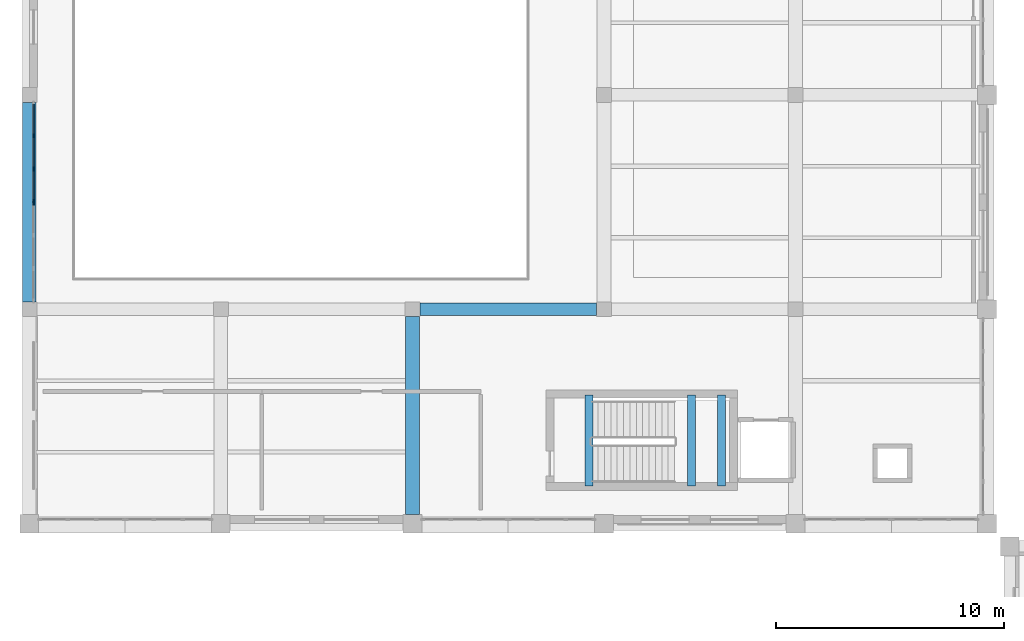
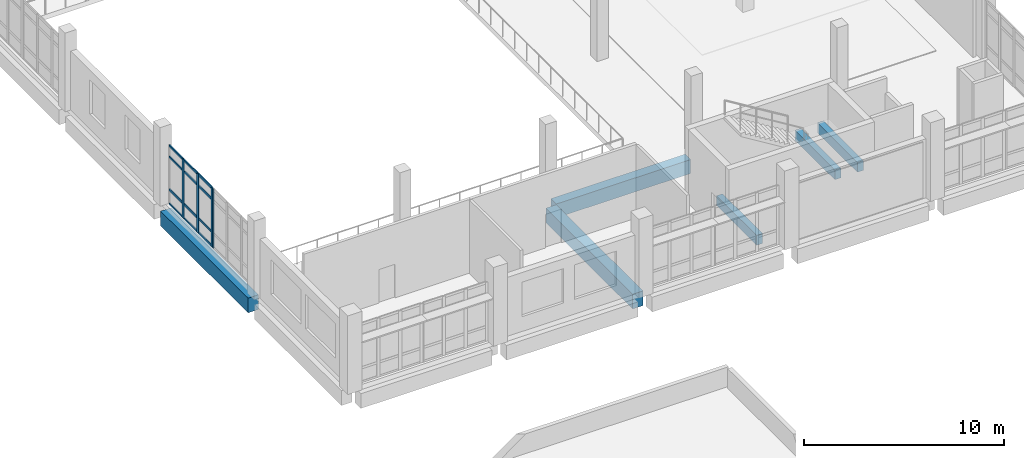
# One storey, part 16 of 73: 16 members, 6 beams, 2 elements without a shape of their own.
"""IFC4 building model written with IfcOpenShell, lengths in metres."""

from ifc_helpers import new_model, si_unit, direction, frame, origin, origin_2d, place, context, subcontext, project, spatial, rectangle, extrude, material, layer, layer_set, material_profile, profile_set, type_object, element, aggregate, save


model = new_model("IFC4")

# Units and contexts
model_context = context("Model", 3, precision=1e-05, world=origin(), true_north=direction((0.0, 1.0)))
body_context = subcontext(model_context, "Body", "Model", "MODEL_VIEW")
ifc_project = project(units=[si_unit("LENGTHUNIT", "METRE"), si_unit("AREAUNIT", "SQUARE_METRE"), si_unit("VOLUMEUNIT", "CUBIC_METRE"), si_unit("PLANEANGLEUNIT", "RADIAN"), si_unit("MASSUNIT", "GRAM", prefix="KILO")], contexts=[model_context])

# Site, building, storey
site_placement = place(None, origin())
site = spatial("IfcSite", under=ifc_project, at=site_placement, CompositionType="ELEMENT")
building_placement = place(site_placement, origin())
building = spatial("IfcBuilding", under=site, at=building_placement, Name="Kelarvand Opera House", CompositionType="ELEMENT")
storey_placement = place(building_placement, frame((0.0, 0.0, 10.199951171875)))
storey = spatial("IfcBuildingStorey", under=building, at=storey_placement, Name="L02", CompositionType="ELEMENT", Elevation=10.199951171875)

# Curtain wall, member
ifc_material_1 = material(Name="Thermally broken aluminium and low-E glazing", Category="aluminium")
ifc_layer = layer(ifc_material_1, 0.179931640625, Name="Thermally broken aluminium and low-E glazing", Category="aluminium")
ifc_layer_set = layer_set([ifc_layer], Name="Thermally broken aluminium and low-E glazing")
curtain_wall_type = type_object("IfcCurtainWallType", Name="Unitised Low-E Curtain Wall 4326x3600 Mod 1350 CWF-15", PredefinedType="USERDEFINED", material=ifc_layer_set)
curtain_wall_1_placement = place(storey_placement, origin())
curtain_wall_1 = element("IfcCurtainWall", 1, at=curtain_wall_1_placement, inside=storey, type_object=curtain_wall_type, Name="V3 L02 Curtain Wall CWF-15 (77)", ObjectType="UNITISED CURTAIN WALL", PredefinedType="USERDEFINED")
ifc_material_2 = material(Name="Thermally broken anodised aluminium", Category="aluminium")
ifc_material_profile_1 = material_profile(ifc_material_2, rectangle(XDim=0.06494140625, YDim=0.179931640625, at=origin_2d()), Name="ALU MULLION 65x180", Category="aluminium")
ifc_profile_set_1 = profile_set([ifc_material_profile_1], Name="Thermally broken anodised aluminium")
member_type_1 = type_object("IfcMemberType", Name="Curtain Wall Mullion 65x180 Aluminium", PredefinedType="MULLION", material=ifc_profile_set_1)
member_1_placement = place(storey_placement, frame((9.179931640625, 101.263427734375, 0.0), z_axis=(0.0, 0.0, 1.0), x_axis=(-1.0, 0.0, 0.0)))
member_1 = element("IfcMember", 2, at=member_1_placement, type_object=member_type_1, Name="CWF-15 mullion 4", PredefinedType="MULLION", context=body_context, shape_type="SweptSolid", body=[
    extrude(rectangle(XDim=0.06494140625, YDim=0.179931640625, at=origin_2d()), origin(), (0.0, 0.0, 1.0), 3.60009765625),
])
aggregate(curtain_wall_1, [member_1])

# Curtain wall, members
curtain_wall_2_placement = place(storey_placement, origin())
curtain_wall_2 = element("IfcCurtainWall", 3, at=curtain_wall_2_placement, inside=storey, type_object=curtain_wall_type, Name="V3 L02 Curtain Wall CWF-15 (78)", ObjectType="UNITISED CURTAIN WALL", PredefinedType="USERDEFINED")
member_2_placement = place(storey_placement, frame((9.179931640625, 101.33251953125, 0.0), z_axis=(0.0, 0.0, 1.0), x_axis=(-1.0, 0.0, 0.0)))
member_2 = element("IfcMember", 4, at=member_2_placement, type_object=member_type_1, Name="CWF-15 mullion 1", PredefinedType="MULLION", context=body_context, shape_type="SweptSolid", body=[
    extrude(rectangle(XDim=0.06494140625, YDim=0.179931640625, at=origin_2d()), origin(), (0.0, 0.0, 1.0), 3.60009765625),
])
member_3_placement = place(storey_placement, frame((9.179931640625, 102.7548828125, 0.0), z_axis=(0.0, 0.0, 1.0), x_axis=(-1.0, 0.0, 0.0)))
member_3 = element("IfcMember", 5, at=member_3_placement, type_object=member_type_1, Name="CWF-15 mullion 2", PredefinedType="MULLION", context=body_context, shape_type="SweptSolid", body=[
    extrude(rectangle(XDim=0.06494140625, YDim=0.179931640625, at=origin_2d()), origin(), (0.0, 0.0, 1.0), 3.60009765625),
])
member_4_placement = place(storey_placement, frame((9.179931640625, 104.2099609375, 0.0), z_axis=(0.0, 0.0, 1.0), x_axis=(-1.0, 0.0, 0.0)))
member_4 = element("IfcMember", 6, at=member_4_placement, type_object=member_type_1, Name="CWF-15 mullion 3", PredefinedType="MULLION", context=body_context, shape_type="SweptSolid", body=[
    extrude(rectangle(XDim=0.06494140625, YDim=0.179931640625, at=origin_2d()), origin(), (0.0, 0.0, 1.0), 3.60009765625),
])
ifc_material_profile_2 = material_profile(ifc_material_2, rectangle(XDim=0.06494140625, YDim=0.139892578125, at=origin_2d()), Name="ALU TRANSOM 65x140", Category="aluminium")
ifc_profile_set_2 = profile_set([ifc_material_profile_2], Name="Thermally broken anodised aluminium")
member_type_2 = type_object("IfcMemberType", Name="Curtain Wall Transom 65x140 Aluminium", PredefinedType="USERDEFINED", material=ifc_profile_set_2)
member_5_placement = place(storey_placement, frame((9.179931640625, 101.364990234375, 0.032470703125), z_axis=(0.0, 1.0, 0.0), x_axis=(-1.0, 0.0, 0.0)))
member_5 = element("IfcMember", 7, at=member_5_placement, type_object=member_type_2, Name="CWF-15 transom 1.1", ObjectType="TRANSOM", PredefinedType="USERDEFINED", context=body_context, shape_type="SweptSolid", body=[
    extrude(rectangle(XDim=0.06494140625, YDim=0.139892578125, at=origin_2d()), origin(), (0.0, 0.0, 1.0), 1.357421875),
])
member_6_placement = place(storey_placement, frame((9.179931640625, 101.364990234375, 0.900146484375), z_axis=(0.0, 1.0, 0.0), x_axis=(-1.0, 0.0, 0.0)))
member_6 = element("IfcMember", 8, at=member_6_placement, type_object=member_type_2, Name="CWF-15 transom 1.2", ObjectType="TRANSOM", PredefinedType="USERDEFINED", context=body_context, shape_type="SweptSolid", body=[
    extrude(rectangle(XDim=0.06494140625, YDim=0.139892578125, at=origin_2d()), origin(), (0.0, 0.0, 1.0), 1.357421875),
])
member_7_placement = place(storey_placement, frame((9.179931640625, 101.364990234375, 2.900146484375), z_axis=(0.0, 1.0, 0.0), x_axis=(-1.0, 0.0, 0.0)))
member_7 = element("IfcMember", 9, at=member_7_placement, type_object=member_type_2, Name="CWF-15 transom 1.3", ObjectType="TRANSOM", PredefinedType="USERDEFINED", context=body_context, shape_type="SweptSolid", body=[
    extrude(rectangle(XDim=0.06494140625, YDim=0.139892578125, at=origin_2d()), origin(), (0.0, 0.0, 1.0), 1.357421875),
])
member_8_placement = place(storey_placement, frame((9.179931640625, 101.364990234375, 3.567626953125), z_axis=(0.0, 1.0, 0.0), x_axis=(-1.0, 0.0, 0.0)))
member_8 = element("IfcMember", 10, at=member_8_placement, type_object=member_type_2, Name="CWF-15 transom 1.4", ObjectType="TRANSOM", PredefinedType="USERDEFINED", context=body_context, shape_type="SweptSolid", body=[
    extrude(rectangle(XDim=0.06494140625, YDim=0.139892578125, at=origin_2d()), origin(), (0.0, 0.0, 1.0), 1.357421875),
])
member_9_placement = place(storey_placement, frame((9.179931640625, 102.78759765625, 0.032470703125), z_axis=(0.0, 1.0, 0.0), x_axis=(-1.0, 0.0, 0.0)))
member_9 = element("IfcMember", 11, at=member_9_placement, type_object=member_type_2, Name="CWF-15 transom 2.1", ObjectType="TRANSOM", PredefinedType="USERDEFINED", context=body_context, shape_type="SweptSolid", body=[
    extrude(rectangle(XDim=0.06494140625, YDim=0.139892578125, at=origin_2d()), origin(), (0.0, 0.0, 1.0), 1.389892578125),
])
member_10_placement = place(storey_placement, frame((9.179931640625, 102.78759765625, 0.900146484375), z_axis=(0.0, 1.0, 0.0), x_axis=(-1.0, 0.0, 0.0)))
member_10 = element("IfcMember", 12, at=member_10_placement, type_object=member_type_2, Name="CWF-15 transom 2.2", ObjectType="TRANSOM", PredefinedType="USERDEFINED", context=body_context, shape_type="SweptSolid", body=[
    extrude(rectangle(XDim=0.06494140625, YDim=0.139892578125, at=origin_2d()), origin(), (0.0, 0.0, 1.0), 1.389892578125),
])
member_11_placement = place(storey_placement, frame((9.179931640625, 102.78759765625, 2.900146484375), z_axis=(0.0, 1.0, 0.0), x_axis=(-1.0, 0.0, 0.0)))
member_11 = element("IfcMember", 13, at=member_11_placement, type_object=member_type_2, Name="CWF-15 transom 2.3", ObjectType="TRANSOM", PredefinedType="USERDEFINED", context=body_context, shape_type="SweptSolid", body=[
    extrude(rectangle(XDim=0.06494140625, YDim=0.139892578125, at=origin_2d()), origin(), (0.0, 0.0, 1.0), 1.389892578125),
])
member_12_placement = place(storey_placement, frame((9.179931640625, 102.78759765625, 3.567626953125), z_axis=(0.0, 1.0, 0.0), x_axis=(-1.0, 0.0, 0.0)))
member_12 = element("IfcMember", 14, at=member_12_placement, type_object=member_type_2, Name="CWF-15 transom 2.4", ObjectType="TRANSOM", PredefinedType="USERDEFINED", context=body_context, shape_type="SweptSolid", body=[
    extrude(rectangle(XDim=0.06494140625, YDim=0.139892578125, at=origin_2d()), origin(), (0.0, 0.0, 1.0), 1.389892578125),
])
member_13_placement = place(storey_placement, frame((9.179931640625, 104.242431640625, 0.032470703125), z_axis=(0.0, 1.0, 0.0), x_axis=(-1.0, 0.0, 0.0)))
member_13 = element("IfcMember", 15, at=member_13_placement, type_object=member_type_2, Name="CWF-15 transom 3.1", ObjectType="TRANSOM", PredefinedType="USERDEFINED", context=body_context, shape_type="SweptSolid", body=[
    extrude(rectangle(XDim=0.06494140625, YDim=0.139892578125, at=origin_2d()), origin(), (0.0, 0.0, 1.0), 1.357666015625),
])
member_14_placement = place(storey_placement, frame((9.179931640625, 104.242431640625, 0.900146484375), z_axis=(0.0, 1.0, 0.0), x_axis=(-1.0, 0.0, 0.0)))
member_14 = element("IfcMember", 16, at=member_14_placement, type_object=member_type_2, Name="CWF-15 transom 3.2", ObjectType="TRANSOM", PredefinedType="USERDEFINED", context=body_context, shape_type="SweptSolid", body=[
    extrude(rectangle(XDim=0.06494140625, YDim=0.139892578125, at=origin_2d()), origin(), (0.0, 0.0, 1.0), 1.357666015625),
])
member_15_placement = place(storey_placement, frame((9.179931640625, 104.242431640625, 2.900146484375), z_axis=(0.0, 1.0, 0.0), x_axis=(-1.0, 0.0, 0.0)))
member_15 = element("IfcMember", 17, at=member_15_placement, type_object=member_type_2, Name="CWF-15 transom 3.3", ObjectType="TRANSOM", PredefinedType="USERDEFINED", context=body_context, shape_type="SweptSolid", body=[
    extrude(rectangle(XDim=0.06494140625, YDim=0.139892578125, at=origin_2d()), origin(), (0.0, 0.0, 1.0), 1.357666015625),
])
member_16_placement = place(storey_placement, frame((9.179931640625, 104.242431640625, 3.567626953125), z_axis=(0.0, 1.0, 0.0), x_axis=(-1.0, 0.0, 0.0)))
member_16 = element("IfcMember", 18, at=member_16_placement, type_object=member_type_2, Name="CWF-15 transom 3.4", ObjectType="TRANSOM", PredefinedType="USERDEFINED", context=body_context, shape_type="SweptSolid", body=[
    extrude(rectangle(XDim=0.06494140625, YDim=0.139892578125, at=origin_2d()), origin(), (0.0, 0.0, 1.0), 1.357666015625),
])
aggregate(curtain_wall_2, [member_2, member_3, member_4, member_5, member_6, member_7, member_8, member_9, member_10, member_11, member_12, member_13, member_14, member_15, member_16])

# Beams
ifc_material_3 = material(Name="Concrete C35/45", Category="concrete")
ifc_material_profile_3 = material_profile(ifc_material_3, rectangle(XDim=0.35009765625, YDim=0.60009765625, at=origin_2d()), Name="RC 350x600", Category="concrete")
ifc_profile_set_3 = profile_set([ifc_material_profile_3], Name="Concrete C35/45")
beam_type_1 = type_object("IfcBeamType", Name="Structural Beam RC 350x600 BM-RC350x600", PredefinedType="BEAM", material=ifc_profile_set_3)
for number, where, z_axis, x_axis, name in (
    (19, (33.5400390625, 88.85009765625, -0.52001953125), (0.0, 1.0, 0.0), (-1.0, 0.0, 0.0), "C5 Stair Landing Support Beam L02"),
    (20, (38.050048828125, 88.85009765625, 1.900146484375), (0.0, 1.0, 0.0), (-1.0, 0.0, 0.0), "C5 Stair Half-Landing Beam 1 L02"),
    (21, (39.35009765625, 88.85009765625, 1.900146484375), (0.0, 1.0, 0.0), (-1.0, 0.0, 0.0), "C5 Stair Half-Landing Beam 2 L02"),
):
    element("IfcBeam", number, at=place(storey_placement, frame(where, z_axis=z_axis, x_axis=x_axis)), inside=storey, type_object=beam_type_1, Name=name, PredefinedType="BEAM", context=body_context, shape_type="SweptSolid", body=[
        extrude(rectangle(XDim=0.35009765625, YDim=0.60009765625, at=origin_2d()), origin(), (0.0, 0.0, 1.0), 4.0),
    ])
ifc_material_4 = material(Name="Concrete C40/50", Category="concrete")
ifc_material_profile_4 = material_profile(ifc_material_4, rectangle(XDim=0.550048828125, YDim=0.85009765625, at=origin_2d()), Name="RC 550x850", Category="concrete")
ifc_profile_set_4 = profile_set([ifc_material_profile_4], Name="Concrete C40/50")
beam_type_2 = type_object("IfcBeamType", Name="Structural Beam RC 550x850 BM-RC550x850", PredefinedType="BEAM", material=ifc_profile_set_4)
beam_1_placement = place(storey_placement, frame((26.125, 96.60009765625, -0.724853515625), z_axis=(1.0, 0.0, 0.0), x_axis=(0.0, 1.0, 0.0)))
element("IfcBeam", 22, at=beam_1_placement, inside=storey, type_object=beam_type_2, Name="V3 L02 Beam BM-RC550x850", PredefinedType="BEAM", context=body_context, shape_type="SweptSolid", body=[
    extrude(rectangle(XDim=0.550048828125, YDim=0.85009765625, at=origin_2d()), origin(), (0.0, 0.0, 1.0), 7.75),
])
ifc_material_profile_5 = material_profile(ifc_material_4, rectangle(XDim=0.60009765625, YDim=0.89990234375, at=origin_2d()), Name="RC 600x900", Category="concrete")
ifc_profile_set_5 = profile_set([ifc_material_profile_5], Name="Concrete C40/50")
beam_type_3 = type_object("IfcBeamType", Name="Structural Beam RC 600x900 BM-RC600x900", PredefinedType="BEAM", material=ifc_profile_set_5)
beam_2_placement = place(storey_placement, frame((25.800048828125, 87.610107421875, -0.75), z_axis=(0.0, 1.0, 0.0), x_axis=(-1.0, 0.0, 0.0)))
element("IfcBeam", 23, at=beam_2_placement, inside=storey, type_object=beam_type_3, Name="V3 L02 Beam BM-RC600x900", PredefinedType="BEAM", context=body_context, shape_type="SweptSolid", body=[
    extrude(rectangle(XDim=0.60009765625, YDim=0.89990234375, at=origin_2d()), origin(), (0.0, 0.0, 1.0), 8.664794921875),
])
ifc_material_profile_6 = material_profile(ifc_material_4, rectangle(XDim=0.60009765625, YDim=0.89990234375, at=origin_2d()), Name="RC 600x900", Category="concrete")
ifc_profile_set_6 = profile_set([ifc_material_profile_6], Name="Concrete C40/50")
beam_type_4 = type_object("IfcBeamType", Name="Structural Spandrel RC 600x900 SP-RC600x900E", PredefinedType="SPANDREL", material=ifc_profile_set_6)
beam_3_placement = place(storey_placement, frame((9.0, 96.925048828125, -0.75), z_axis=(0.0, 1.0, 0.0), x_axis=(-1.0, 0.0, 0.0)))
element("IfcBeam", 24, at=beam_3_placement, inside=storey, type_object=beam_type_4, Name="V3 L02 Beam SP-RC600x900E", PredefinedType="SPANDREL", context=body_context, shape_type="SweptSolid", body=[
    extrude(rectangle(XDim=0.60009765625, YDim=0.89990234375, at=origin_2d()), origin(), (0.0, 0.0, 1.0), 8.75),
])

save(model, "model.ifc")
